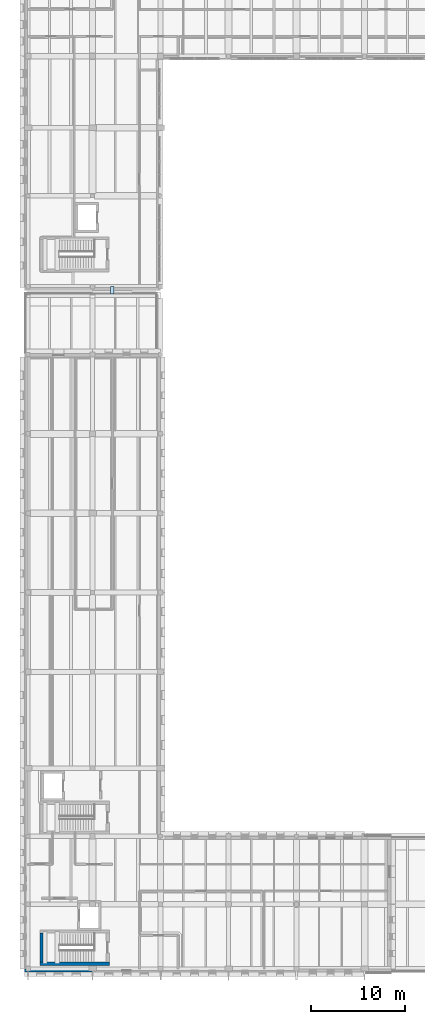
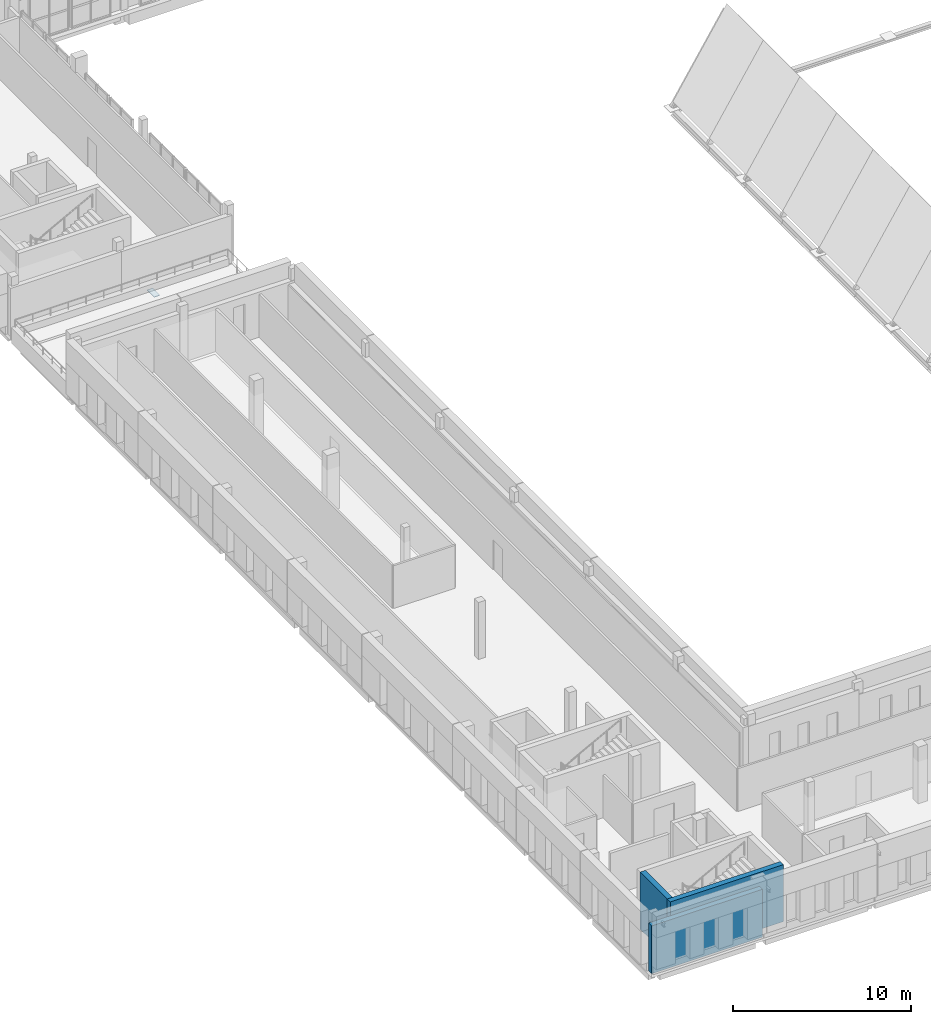
# One storey, part 35 of 56: 3 walls, 1 plate.
"""IFC4 building model written with IfcOpenShell, lengths in metres."""

from ifc_helpers import new_model, si_unit, direction, frame, frame_2d, origin, origin_2d, place, context, subcontext, project, spatial, rectangle, extrude, material, layer, layer_set, type_object, element, save


model = new_model("IFC4")

# Units and contexts
model_context = context("Model", 3, precision=1e-05, world=origin(), true_north=direction((0.0, 1.0)))
body_context = subcontext(model_context, "Body", "Model", "MODEL_VIEW")
ifc_project = project(units=[si_unit("LENGTHUNIT", "METRE"), si_unit("AREAUNIT", "SQUARE_METRE"), si_unit("VOLUMEUNIT", "CUBIC_METRE"), si_unit("PLANEANGLEUNIT", "RADIAN"), si_unit("MASSUNIT", "GRAM", prefix="KILO")], contexts=[model_context])

# Site, building, storey
site_placement = place(None, origin())
site = spatial("IfcSite", under=ifc_project, at=site_placement, CompositionType="ELEMENT")
building_placement = place(site_placement, origin())
building = spatial("IfcBuilding", under=site, at=building_placement, Name="Vardoun Plaza Health Centre", CompositionType="ELEMENT")
storey_placement = place(building_placement, frame((0.0, 0.0, 8.699951171875)))
storey = spatial("IfcBuildingStorey", under=building, at=storey_placement, Name="L02", CompositionType="ELEMENT", Elevation=8.699951171875)

# Plate
ifc_material_1 = material(Name="Steel S355J2", Category="steel")
ifc_layer_1 = layer(ifc_material_1, 0.0400390625)
ifc_layer_set_1 = layer_set([ifc_layer_1], Name="Steel S355J2")
plate_type = type_object("IfcPlateType", Name="BP-01", PredefinedType="SHEET", material=ifc_layer_set_1)
plate_placement = place(storey_placement, frame((13.800048828125, 76.699951171875, -0.260009765625), z_axis=(0.0, 0.0, 1.0), x_axis=(1.0, 0.0, 0.0)))
element("IfcPlate", 1, at=plate_placement, inside=storey, type_object=plate_type, Name="Bridge BR-02 Guided PTFE Bearing Plate", PredefinedType="SHEET", context=body_context, shape_type="SweptSolid", body=[
    extrude(rectangle(XDim=0.35009765625, YDim=0.800048828125, at=origin_2d()), origin(), (0.0, 0.0, 1.0), 0.0400390625),
])

# Walls
ifc_material_2 = material(Name="Concrete C40/50", Category="concrete")
ifc_layer_2 = layer(ifc_material_2, 0.35009765625)
ifc_layer_set_2 = layer_set([ifc_layer_2], Name="Concrete C40/50")
wall_type_1 = type_object("IfcWallType", Name="SW-02", PredefinedType="SHEAR", material=ifc_layer_set_2)
wall_1_placement = place(storey_placement, frame((13.47509765625, 5.39990234375, 0.0), z_axis=(0.0, 0.0, 1.0), x_axis=(-1.0, 0.0, 0.0)))
element("IfcWall", 2, at=wall_1_placement, inside=storey, type_object=wall_type_1, Name="Core C1 L02 Shear Wall S", PredefinedType="SHEAR", context=body_context, shape_type="SweptSolid", body=[
    extrude(rectangle(XDim=7.35009765625, YDim=0.35009765625, at=frame_2d((3.675048828125, 0.0))), origin(), (0.0, 0.0, 1.0), 3.920166015625),
])
wall_2_placement = place(storey_placement, frame((6.300048828125, 5.574951171875, 0.0), z_axis=(0.0, 0.0, 1.0), x_axis=(0.0, 1.0, 0.0)))
element("IfcWall", 3, at=wall_2_placement, inside=storey, type_object=wall_type_1, Name="Core C1 L02 Shear Wall W", PredefinedType="SHEAR", context=body_context, shape_type="SweptSolid", body=[
    extrude(rectangle(XDim=3.050048828125, YDim=0.35009765625, at=frame_2d((1.52490234375, 0.0))), origin(), (0.0, 0.0, 1.0), 3.920166015625),
])
ifc_material_3 = material(Name="Pale Limestone Concrete C35/45", Category="masonry")
ifc_layer_3 = layer(ifc_material_3, 0.344970703125)
ifc_layer_set_3 = layer_set([ifc_layer_3], Name="Pale Limestone Concrete C35/45")
wall_type_2 = type_object("IfcWallType", Name="EW-01", PredefinedType="SOLIDWALL", material=ifc_layer_set_3)
wall_3_placement = place(storey_placement, frame((11.699951171875, 4.672607421875, 0.0), z_axis=(0.0, 0.0, 1.0), x_axis=(-1.0, 0.0, 0.0)))
element("IfcWall", 4, at=wall_3_placement, inside=storey, type_object=wall_type_2, Name="V2 L02 Exterior Wall EW-V2-145", PredefinedType="SOLIDWALL", context=body_context, shape_type="SweptSolid", body=[
    extrude(rectangle(XDim=7.199951171875, YDim=0.344970703125, at=frame_2d((3.60009765625, 0.0))), origin(), (0.0, 0.0, 1.0), 3.28515625),
])

save(model, "model.ifc")
